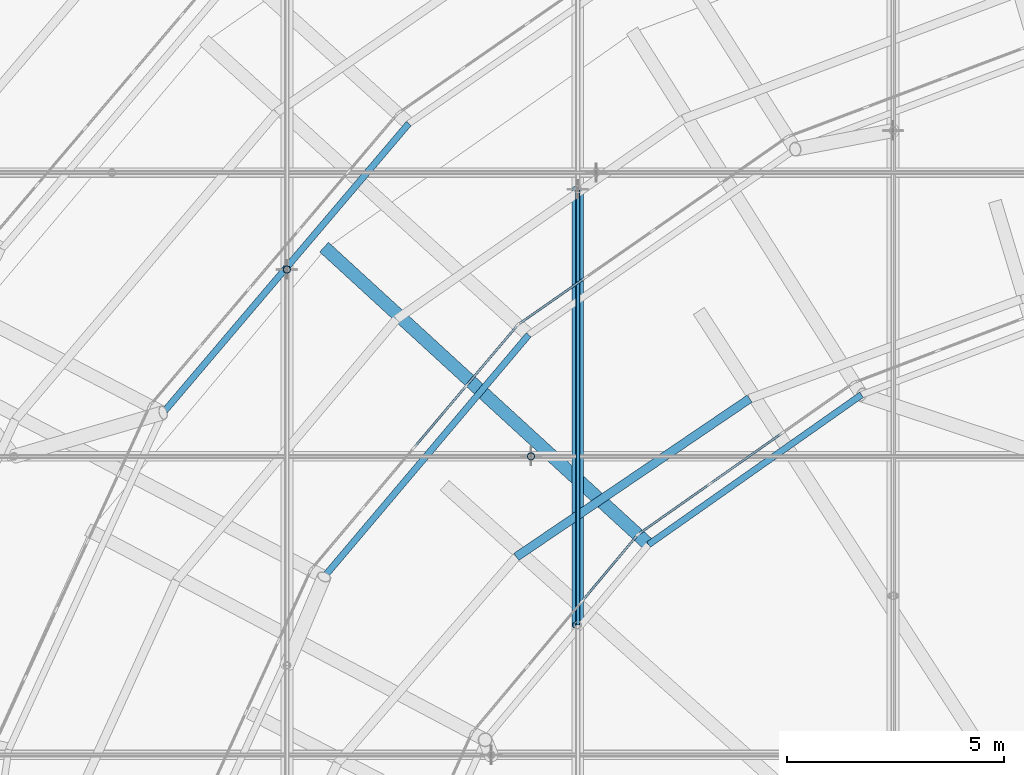
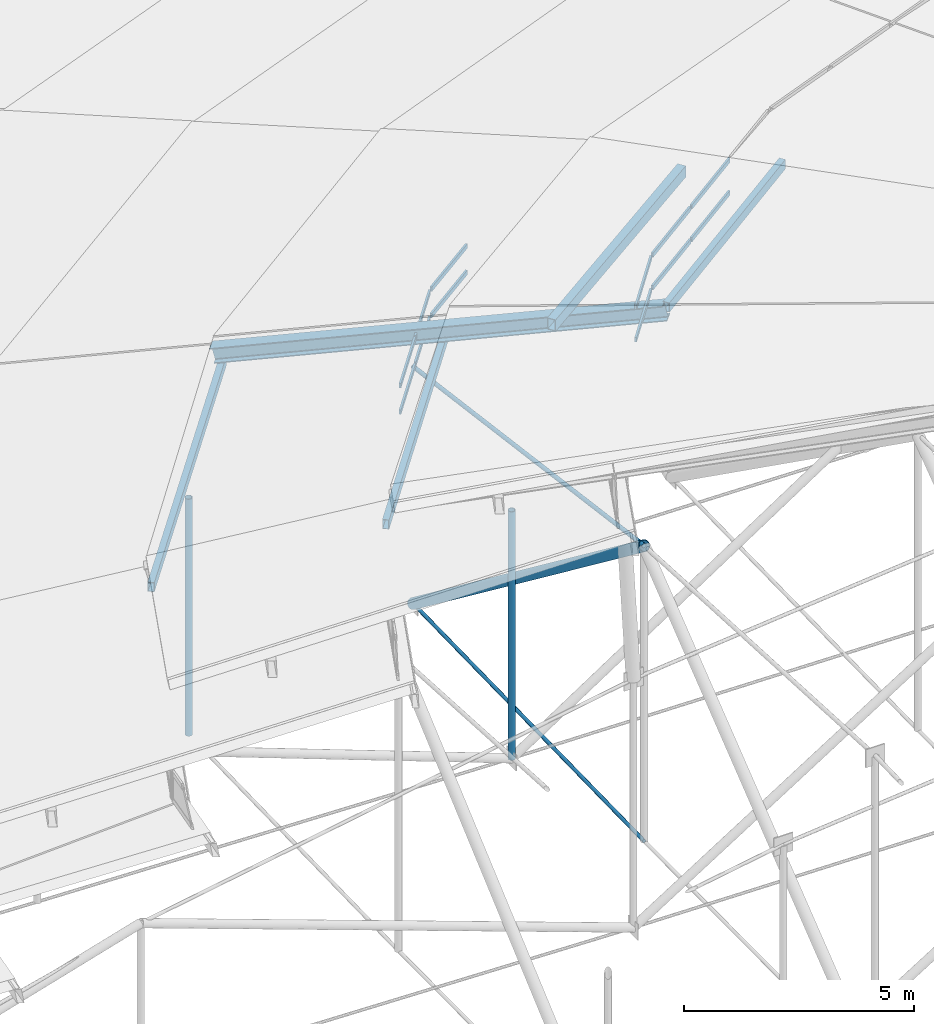
# One storey, part 49 of 173: 22 members, 4 elements without a shape of their own.
"""IFC4 building model written with IfcOpenShell, lengths in metres."""

from ifc_helpers import new_model, si_unit, direction, frame, origin, origin_2d, place, context, subcontext, project, spatial, rectangle, hollow_rectangle, circle, hollow_circle, i_section, extrude, material, material_profile, profile_set, type_object, element, aggregate, save


model = new_model("IFC4")

# Units and contexts
model_context = context("Model", 3, precision=1e-05, world=origin(), true_north=direction((0.0, 1.0)))
body_context = subcontext(model_context, "Body", "Model", "MODEL_VIEW")
ifc_project = project(units=[si_unit("LENGTHUNIT", "METRE"), si_unit("AREAUNIT", "SQUARE_METRE"), si_unit("VOLUMEUNIT", "CUBIC_METRE"), si_unit("PLANEANGLEUNIT", "RADIAN"), si_unit("MASSUNIT", "GRAM", prefix="KILO")], contexts=[model_context])

# Site, building, storey
site_placement = place(None, origin())
site = spatial("IfcSite", under=ifc_project, at=site_placement, CompositionType="ELEMENT")
building_placement = place(site_placement, origin())
building = spatial("IfcBuilding", under=site, at=building_placement, Name="Glasvene Arena", CompositionType="ELEMENT")
storey_placement = place(building_placement, frame((0.0, 0.0, 28.800048828125)))
storey = spatial("IfcBuildingStorey", under=building, at=storey_placement, Name="RF", CompositionType="ELEMENT", Elevation=28.800048828125)

# Curtain wall, members
ifc_material_1 = material(Name="Low-emissivity laminated double glazing", Category="glass")
curtain_wall_type_1 = type_object("IfcCurtainWallType", Name="CW-PET3-756x75", PredefinedType="USERDEFINED", material=ifc_material_1)
curtain_wall_1_placement = place(storey_placement, frame((74.125, 94.255859375, 0.0)))
curtain_wall_1 = element("IfcCurtainWall", 1, at=curtain_wall_1_placement, inside=storey, type_object=curtain_wall_type_1, Name="Petal ring 3-4 clerestory curtain wall 09", ObjectType="CURTAIN WALL", PredefinedType="USERDEFINED")
ifc_material_2 = material(Name="Anodised architectural aluminium", Category="aluminium")
ifc_material_profile_1 = material_profile(ifc_material_2, rectangle(XDim=0.050048828125, YDim=0.1201171875, at=origin_2d()), Name="ALU TRANSOM 50x120")
ifc_profile_set_1 = profile_set([ifc_material_profile_1], Name="Anodised architectural aluminium")
member_type_1 = type_object("IfcMemberType", Name="CW-TRN-120", PredefinedType="USERDEFINED", material=ifc_profile_set_1)
member_1_placement = place(storey_placement, frame((69.452392578125, 90.999755859375, 7.85498046875), z_axis=(-0.82043066746, -0.571746027438, 0.0), x_axis=(0.571746027438, -0.82043066746, 0.0)))
member_1 = element("IfcMember", 2, at=member_1_placement, type_object=member_type_1, Name="CW-096 transom 4.1", ObjectType="TRANSOM", PredefinedType="USERDEFINED", context=body_context, shape_type="SweptSolid", body=[
    extrude(rectangle(XDim=0.050048828125, YDim=0.1201171875, at=origin_2d()), origin(), (0.0, 0.0, 1.0), 1.815185546875),
])
member_2_placement = place(storey_placement, frame((69.452392578125, 90.999755859375, 8.554931640625), z_axis=(-0.82043066746, -0.571746027438, 0.0), x_axis=(0.571746027438, -0.82043066746, 0.0)))
member_2 = element("IfcMember", 3, at=member_2_placement, type_object=member_type_1, Name="CW-096 transom 4.2", ObjectType="TRANSOM", PredefinedType="USERDEFINED", context=body_context, shape_type="SweptSolid", body=[
    extrude(rectangle(XDim=0.050048828125, YDim=0.1201171875, at=origin_2d()), origin(), (0.0, 0.0, 1.0), 1.815185546875),
])
aggregate(curtain_wall_1, [member_1, member_2])

curtain_wall_type_2 = type_object("IfcCurtainWallType", Name="CW-PET3-737x75", PredefinedType="USERDEFINED", material=ifc_material_1)
curtain_wall_2_placement = place(storey_placement, frame((67.922119140625, 89.933349609375, 0.0)))
curtain_wall_2 = element("IfcCurtainWall", 4, at=curtain_wall_2_placement, inside=storey, type_object=curtain_wall_type_2, Name="Petal ring 3-4 clerestory curtain wall 10", ObjectType="CURTAIN WALL", PredefinedType="USERDEFINED")
member_3_placement = place(storey_placement, frame((67.889892578125, 89.89501953125, 7.85498046875), z_axis=(-0.645478019952, -0.763778846106, 0.0), x_axis=(0.763778846106, -0.645478019952, 0.0)))
member_3 = element("IfcMember", 5, at=member_3_placement, type_object=member_type_1, Name="CW-095 transom 1.1", ObjectType="TRANSOM", PredefinedType="USERDEFINED", context=body_context, shape_type="SweptSolid", body=[
    extrude(rectangle(XDim=0.050048828125, YDim=0.1201171875, at=origin_2d()), origin(), (0.0, 0.0, 1.0), 1.7685546875),
])
member_4_placement = place(storey_placement, frame((67.889892578125, 89.89501953125, 8.554931640625), z_axis=(-0.645478019952, -0.763778846106, 0.0), x_axis=(0.763778846106, -0.645478019952, 0.0)))
member_4 = element("IfcMember", 6, at=member_4_placement, type_object=member_type_1, Name="CW-095 transom 1.2", ObjectType="TRANSOM", PredefinedType="USERDEFINED", context=body_context, shape_type="SweptSolid", body=[
    extrude(rectangle(XDim=0.050048828125, YDim=0.1201171875, at=origin_2d()), origin(), (0.0, 0.0, 1.0), 1.7685546875),
])
member_5_placement = place(storey_placement, frame((66.716064453125, 88.505859375, 7.85498046875), z_axis=(-0.645337954572, -0.763897194908, 0.0), x_axis=(0.763897194908, -0.645337954572, 0.0)))
member_5 = element("IfcMember", 7, at=member_5_placement, type_object=member_type_1, Name="CW-095 transom 2.1", ObjectType="TRANSOM", PredefinedType="USERDEFINED", context=body_context, shape_type="SweptSolid", body=[
    extrude(rectangle(XDim=0.050048828125, YDim=0.1201171875, at=origin_2d()), origin(), (0.0, 0.0, 1.0), 1.793701171875),
])
member_6_placement = place(storey_placement, frame((66.716064453125, 88.505859375, 8.554931640625), z_axis=(-0.645337954572, -0.763897194908, 0.0), x_axis=(0.763897194908, -0.645337954572, 0.0)))
member_6 = element("IfcMember", 8, at=member_6_placement, type_object=member_type_1, Name="CW-095 transom 2.2", ObjectType="TRANSOM", PredefinedType="USERDEFINED", context=body_context, shape_type="SweptSolid", body=[
    extrude(rectangle(XDim=0.050048828125, YDim=0.1201171875, at=origin_2d()), origin(), (0.0, 0.0, 1.0), 1.793701171875),
])
aggregate(curtain_wall_2, [member_3, member_4, member_5, member_6])

curtain_wall_type_3 = type_object("IfcCurtainWallType", Name="CW-PET4-608x92", PredefinedType="USERDEFINED", material=ifc_material_1)
curtain_wall_3_placement = place(storey_placement, frame((75.64990234375, 88.6025390625, 0.0)))
curtain_wall_3 = element("IfcCurtainWall", 9, at=curtain_wall_3_placement, inside=storey, type_object=curtain_wall_type_3, Name="Petal ring 4-5 clerestory curtain wall 09", ObjectType="CURTAIN WALL", PredefinedType="USERDEFINED")
member_7_placement = place(storey_placement, frame((73.97265625, 87.4228515625, 10.554931640625), z_axis=(-0.817911950472, -0.575343411603, 0.0), x_axis=(0.575343411603, -0.817911950472, 0.0)))
member_7 = element("IfcMember", 10, at=member_7_placement, type_object=member_type_1, Name="CW-102 transom 2.1", ObjectType="TRANSOM", PredefinedType="USERDEFINED", context=body_context, shape_type="SweptSolid", body=[
    extrude(rectangle(XDim=0.050048828125, YDim=0.1201171875, at=origin_2d()), origin(), (0.0, 0.0, 1.0), 1.975830078125),
])
member_8_placement = place(storey_placement, frame((73.97265625, 87.4228515625, 11.4208984375), z_axis=(-0.817911950472, -0.575343411603, 0.0), x_axis=(0.575343411603, -0.817911950472, 0.0)))
member_8 = element("IfcMember", 11, at=member_8_placement, type_object=member_type_1, Name="CW-102 transom 2.2", ObjectType="TRANSOM", PredefinedType="USERDEFINED", context=body_context, shape_type="SweptSolid", body=[
    extrude(rectangle(XDim=0.050048828125, YDim=0.1201171875, at=origin_2d()), origin(), (0.0, 0.0, 1.0), 1.975830078125),
])
member_9_placement = place(storey_placement, frame((72.31591796875, 86.25732421875, 10.554931640625), z_axis=(-0.817948187288, -0.575291893661, 0.0), x_axis=(0.575291893661, -0.817948187288, 0.0)))
member_9 = element("IfcMember", 12, at=member_9_placement, type_object=member_type_1, Name="CW-102 transom 3.1", ObjectType="TRANSOM", PredefinedType="USERDEFINED", context=body_context, shape_type="SweptSolid", body=[
    extrude(rectangle(XDim=0.050048828125, YDim=0.1201171875, at=origin_2d()), origin(), (0.0, 0.0, 1.0), 1.950927734375),
])
member_10_placement = place(storey_placement, frame((72.31591796875, 86.25732421875, 11.4208984375), z_axis=(-0.817948187288, -0.575291893661, 0.0), x_axis=(0.575291893661, -0.817948187288, 0.0)))
member_10 = element("IfcMember", 13, at=member_10_placement, type_object=member_type_1, Name="CW-102 transom 3.2", ObjectType="TRANSOM", PredefinedType="USERDEFINED", context=body_context, shape_type="SweptSolid", body=[
    extrude(rectangle(XDim=0.050048828125, YDim=0.1201171875, at=origin_2d()), origin(), (0.0, 0.0, 1.0), 1.950927734375),
])
aggregate(curtain_wall_3, [member_7, member_8, member_9, member_10])

curtain_wall_type_4 = type_object("IfcCurtainWallType", Name="CW-PET4-594x92", PredefinedType="USERDEFINED", material=ifc_material_1)
curtain_wall_4_placement = place(storey_placement, frame((70.679443359375, 85.106201171875, 0.0)))
curtain_wall_4 = element("IfcCurtainWall", 14, at=curtain_wall_4_placement, inside=storey, type_object=curtain_wall_type_4, Name="Petal ring 4-5 clerestory curtain wall 10", ObjectType="CURTAIN WALL", PredefinedType="USERDEFINED")
member_11_placement = place(storey_placement, frame((70.647216796875, 85.06787109375, 10.554931640625), z_axis=(-0.641884103108, -0.766801668084, 0.0), x_axis=(0.766801668084, -0.641884103108, 0.0)))
member_11 = element("IfcMember", 15, at=member_11_placement, type_object=member_type_1, Name="CW-101 transom 1.1", ObjectType="TRANSOM", PredefinedType="USERDEFINED", context=body_context, shape_type="SweptSolid", body=[
    extrude(rectangle(XDim=0.050048828125, YDim=0.1201171875, at=origin_2d()), origin(), (0.0, 0.0, 1.0), 1.905517578125),
])
member_12_placement = place(storey_placement, frame((70.647216796875, 85.06787109375, 11.4208984375), z_axis=(-0.641884103108, -0.766801668084, 0.0), x_axis=(0.766801668084, -0.641884103108, 0.0)))
member_12 = element("IfcMember", 16, at=member_12_placement, type_object=member_type_1, Name="CW-101 transom 1.2", ObjectType="TRANSOM", PredefinedType="USERDEFINED", context=body_context, shape_type="SweptSolid", body=[
    extrude(rectangle(XDim=0.050048828125, YDim=0.1201171875, at=origin_2d()), origin(), (0.0, 0.0, 1.0), 1.905517578125),
])
aggregate(curtain_wall_4, [member_11, member_12])

# Members
ifc_material_3 = material(Name="High-strength steel spiral strand S460", Category="steel")
ifc_material_profile_2 = material_profile(ifc_material_3, circle(Radius=0.052490234375, at=origin_2d()), Name="LCSS D105")
ifc_profile_set_2 = profile_set([ifc_material_profile_2], Name="High-strength steel spiral strand S460")
member_type_2 = type_object("IfcMemberType", Name="MB-CABLE-105", PredefinedType="USERDEFINED", material=ifc_profile_set_2)
member_13_placement = place(storey_placement, frame((69.300537109375, 83.023681640625, 5.499267578125), z_axis=(0.0, 0.991282849218, -0.131750950075), x_axis=(-1.0, 0.0, 0.0)))
element("IfcMember", 17, at=member_13_placement, inside=storey, type_object=member_type_2, Name="Upper lens roof cable NS08-06", ObjectType="ROOF CABLE", PredefinedType="USERDEFINED", context=body_context, shape_type="SweptSolid", body=[
    extrude(circle(Radius=0.052490234375, at=origin_2d()), origin(), (0.0, 0.0, 1.0), 10.112060546875),
])
ifc_material_profile_3 = material_profile(ifc_material_3, circle(Radius=0.044921875, at=origin_2d()), Name="LCSS D90")
ifc_profile_set_3 = profile_set([ifc_material_profile_3], Name="High-strength steel spiral strand S460")
member_type_3 = type_object("IfcMemberType", Name="MB-CABLE-90", PredefinedType="USERDEFINED", material=ifc_profile_set_3)
member_14_placement = place(storey_placement, frame((69.300537109375, 83.023681640625, -2.328125), z_axis=(0.0, 0.999768822687, 0.021501190278), x_axis=(-1.0, 0.0, 0.0)))
element("IfcMember", 18, at=member_14_placement, inside=storey, type_object=member_type_3, Name="Lower stabilization roof cable NS08-06", ObjectType="ROOF CABLE", PredefinedType="USERDEFINED", context=body_context, shape_type="SweptSolid", body=[
    extrude(circle(Radius=0.044921875, at=origin_2d()), origin(), (0.0, 0.0, 1.0), 10.026123046875),
])
ifc_material_4 = material(Name="Steel S355J2", Category="steel")
ifc_material_profile_4 = material_profile(ifc_material_4, i_section(OverallWidth=0.300048828125, OverallDepth=0.39990234375, WebThickness=0.013427734375, FlangeThickness=0.02392578125, FilletRadius=0.027099609375, at=origin_2d()), Name="HEB 400")
ifc_profile_set_4 = profile_set([ifc_material_profile_4], Name="Steel S355J2")
member_type_4 = type_object("IfcMemberType", Name="MB-CHORD-HEB400", PredefinedType="CHORD", material=ifc_profile_set_4)
member_15_placement = place(storey_placement, frame((63.502197265625, 91.682373046875, 7.39990234375), z_axis=(0.712941747798, -0.653420535853, 0.254471349216), x_axis=(0.675663155218, 0.737210486008, 0.0)))
element("IfcMember", 19, at=member_15_placement, inside=storey, type_object=member_type_4, Name="Petal ring 4 radial rib 10", PredefinedType="CHORD", context=body_context, shape_type="SweptSolid", body=[
    extrude(i_section(OverallWidth=0.300048828125, OverallDepth=0.39990234375, WebThickness=0.013427734375, FlangeThickness=0.02392578125, FilletRadius=0.027099609375, at=origin_2d()), origin(), (0.0, 0.0, 1.0), 10.414306640625),
])
ifc_material_profile_5 = material_profile(ifc_material_4, hollow_rectangle(XDim=0.14990234375, YDim=0.25, WallThickness=0.010009765625, at=origin_2d()), Name="RHS 250x150x10.0")
ifc_profile_set_5 = profile_set([ifc_material_profile_5], Name="Steel S355J2")
member_type_5 = type_object("IfcMemberType", Name="MB-PURLIN-RHS250", PredefinedType="PURLIN", material=ifc_profile_set_5)
member_16_placement = place(storey_placement, frame((65.412353515625, 94.55859375, 4.781982421875), z_axis=(-0.647382024126, -0.762165674141, 0.0), x_axis=(0.762165674141, -0.647382024126, 0.0)))
element("IfcMember", 20, at=member_16_placement, inside=storey, type_object=member_type_5, Name="Petal ring 2 ridge purlin 10", PredefinedType="PURLIN", context=body_context, shape_type="SweptSolid", body=[
    extrude(hollow_rectangle(XDim=0.14990234375, YDim=0.25, WallThickness=0.010009765625, at=origin_2d()), origin(), (0.0, 0.0, 1.0), 8.72705078125),
])
member_17_placement = place(storey_placement, frame((68.169677734375, 89.69921875, 7.431884765625), z_axis=(-0.64556365772, -0.763706464442, 0.0), x_axis=(0.763706464442, -0.64556365772, 0.0)))
element("IfcMember", 21, at=member_17_placement, inside=storey, type_object=member_type_5, Name="Petal ring 3 ridge purlin 10", PredefinedType="PURLIN", context=body_context, shape_type="SweptSolid", body=[
    extrude(hollow_rectangle(XDim=0.14990234375, YDim=0.25, WallThickness=0.010009765625, at=origin_2d()), origin(), (0.0, 0.0, 1.0), 7.286376953125),
])
member_18_placement = place(storey_placement, frame((75.824951171875, 88.322265625, 10.1318359375), z_axis=(-0.817954216409, -0.57528332138, 0.0), x_axis=(0.57528332138, -0.817954216409, 0.0)))
element("IfcMember", 22, at=member_18_placement, inside=storey, type_object=member_type_5, Name="Petal ring 4 ridge purlin 09", PredefinedType="PURLIN", context=body_context, shape_type="SweptSolid", body=[
    extrude(hollow_rectangle(XDim=0.14990234375, YDim=0.25, WallThickness=0.010009765625, at=origin_2d()), origin(), (0.0, 0.0, 1.0), 5.988037109375),
])
ifc_material_profile_6 = material_profile(ifc_material_4, hollow_rectangle(XDim=0.199951171875, YDim=0.300048828125, WallThickness=0.012451171875, at=origin_2d()), Name="RHS 300x200x12.5")
ifc_profile_set_6 = profile_set([ifc_material_profile_6], Name="Steel S355J2")
member_type_6 = type_object("IfcMemberType", Name="MB-PURLIN-RHS300", PredefinedType="PURLIN", material=ifc_profile_set_6)
member_19_placement = place(storey_placement, frame((73.25, 88.23193359375, 10.9013671875), z_axis=(-0.827526396044, -0.56142681077, 0.0), x_axis=(0.56142681077, -0.827526396044, 0.0)))
element("IfcMember", 23, at=member_19_placement, inside=storey, type_object=member_type_6, Name="Petal ring 5 outer purlin 09", PredefinedType="PURLIN", context=body_context, shape_type="SweptSolid", body=[
    extrude(hollow_rectangle(XDim=0.199951171875, YDim=0.300048828125, WallThickness=0.012451171875, at=origin_2d()), origin(), (0.0, 0.0, 1.0), 6.48193359375),
])
ifc_material_profile_7 = material_profile(ifc_material_4, hollow_circle(Radius=0.084228515625, WallThickness=0.008056640625, at=origin_2d()), Name="CHS 168.3x8.0")
ifc_profile_set_7 = profile_set([ifc_material_profile_7], Name="Steel S355J2")
member_type_7 = type_object("IfcMemberType", Name="MB-WEB-CHS168", PredefinedType="BRACE", material=ifc_profile_set_7)
member_20_placement = place(storey_placement, frame((62.610595703125, 91.202880859375, -2.112548828125), z_axis=(0.0, 0.0, 1.0), x_axis=(1.0, 0.0, 0.0)))
element("IfcMember", 24, at=member_20_placement, inside=storey, type_object=member_type_7, Name="Cable-truss vertical strut NS09-06", PredefinedType="BRACE", context=body_context, shape_type="SweptSolid", body=[
    extrude(hollow_circle(Radius=0.084228515625, WallThickness=0.008056640625, at=origin_2d()), origin(), (0.0, 0.0, 1.0), 6.279541015625),
])
member_21_placement = place(storey_placement, frame((68.2236328125, 86.90576171875, -2.112548828125), z_axis=(0.0, 0.0, 1.0), x_axis=(1.0, 0.0, 0.0)))
element("IfcMember", 25, at=member_21_placement, inside=storey, type_object=member_type_7, Name="Cable-truss vertical strut EW06-02", PredefinedType="BRACE", context=body_context, shape_type="SweptSolid", body=[
    extrude(hollow_circle(Radius=0.084228515625, WallThickness=0.008056640625, at=origin_2d()), origin(), (0.0, 0.0, 1.0), 6.58544921875),
])
ifc_material_profile_8 = material_profile(ifc_material_4, hollow_circle(Radius=0.136474609375, WallThickness=0.012451171875, at=origin_2d()), Name="CHS 273.0x12.5")
ifc_profile_set_8 = profile_set([ifc_material_profile_8], Name="Steel S355J2")
member_type_8 = type_object("IfcMemberType", Name="MB-WEB-CHS273", PredefinedType="BRACE", material=ifc_profile_set_8)
member_22_placement = place(storey_placement, frame((69.300537109375, 83.023681640625, 5.499267578125), z_axis=(0.0, 0.796405832575, -0.604762556579), x_axis=(-1.0, 0.0, 0.0)))
element("IfcMember", 26, at=member_22_placement, inside=storey, type_object=member_type_8, Name="Cable-truss diagonal web strut NS08-06", PredefinedType="BRACE", context=body_context, shape_type="SweptSolid", body=[
    extrude(hollow_circle(Radius=0.136474609375, WallThickness=0.012451171875, at=origin_2d()), origin(), (0.0, 0.0, 1.0), 12.58642578125),
])

save(model, "model.ifc")
